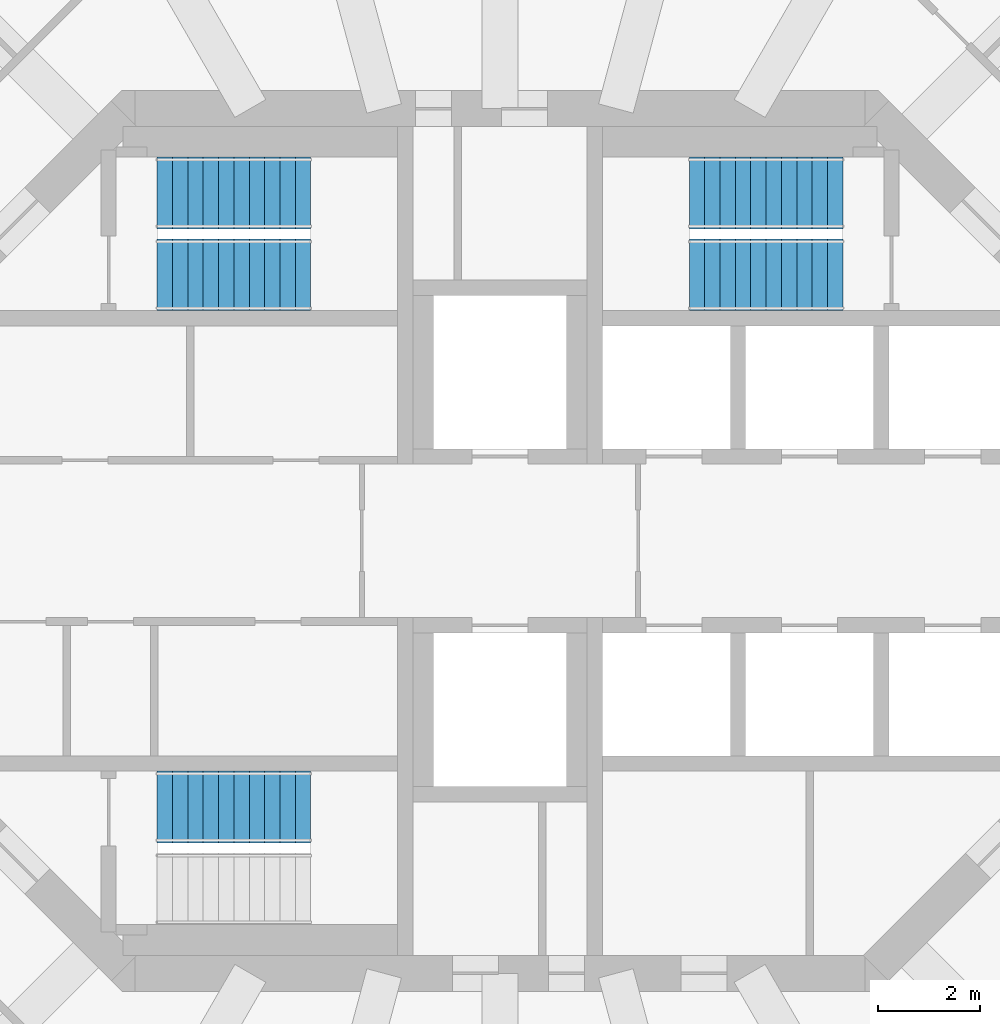
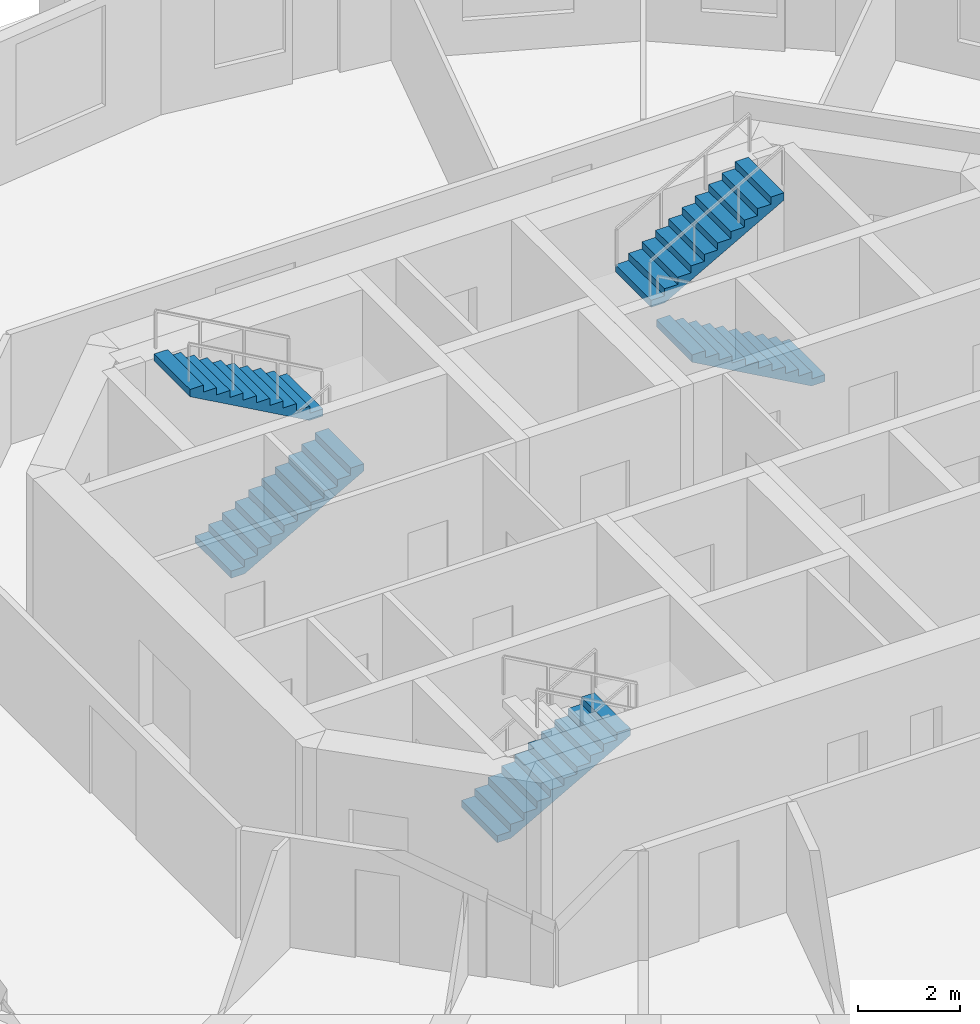
# One storey, part 7 of 9: 5 stair flights, 3 elements without a shape of their own.
"""IFC4 building model written with IfcOpenShell, lengths in metres."""

from ifc_helpers import new_model, si_unit, direction, frame, origin, place, context, subcontext, project, spatial, polyline, outline, extrude, material, type_object, element, aggregate, save


model = new_model("IFC4")

# Units and contexts
model_context = context("Model", 3, precision=1e-05, world=origin(), true_north=direction((0.0, 1.0)))
body_context = subcontext(model_context, "Body", "Model", "MODEL_VIEW")
ifc_project = project(units=[si_unit("LENGTHUNIT", "METRE"), si_unit("AREAUNIT", "SQUARE_METRE"), si_unit("VOLUMEUNIT", "CUBIC_METRE"), si_unit("PLANEANGLEUNIT", "RADIAN"), si_unit("MASSUNIT", "GRAM", prefix="KILO")], contexts=[model_context])

# Site, building, storey
site_placement = place(None, origin())
site = spatial("IfcSite", under=ifc_project, at=site_placement, CompositionType="ELEMENT")
building_placement = place(site_placement, origin())
building = spatial("IfcBuilding", under=site, at=building_placement, Name="Torre Triforio", CompositionType="ELEMENT")
storey_placement = place(building_placement, frame((0.0, 0.0, 161.60009765625)))
storey = spatial("IfcBuildingStorey", under=building, at=storey_placement, Name="L36", CompositionType="ELEMENT", Elevation=161.60009765625)

# Stair, stair flights
ifc_material = material(Name="Concrete C40", Category="concrete")
stair_type = type_object("IfcStairType", Name="STAIR HALF-TURN", PredefinedType="HALF_TURN_STAIR", material=ifc_material)
stair_1_placement = place(storey_placement, origin())
stair_1 = element("IfcStair", 1, at=stair_1_placement, inside=storey, type_object=stair_type, Name="Exit stair 1", PredefinedType="HALF_TURN_STAIR")
stair_flight_type = type_object("IfcStairFlightType", Name="STAIR FLIGHT 1400", PredefinedType="STRAIGHT", material=ifc_material)
stair_flight_1_placement = place(storey_placement, frame((-6.699951171875, 5.199951171875, 0.0), z_axis=(0.0, 0.0, 1.0), x_axis=(1.0, 0.0, 0.0)))
stair_flight_1 = element("IfcStairFlight", 2, at=stair_flight_1_placement, type_object=stair_flight_type, Name="ST1 flight 1", NumberOfRisers=11, NumberOfTreads=10, PredefinedType="STRAIGHT", RiserHeight=0.168181818, TreadLength=0.3, context=body_context, shape_type="SweptSolid", body=[
    extrude(outline(polyline([(0.0, 0.0), (0.0, 0.168212890625), (0.300048828125, 0.168212890625), (0.300048828125, 0.33642578125), (0.60009765625, 0.33642578125), (0.60009765625, 0.504638671875), (0.89990234375, 0.504638671875), (0.89990234375, 0.672607421875), (1.199951171875, 0.672607421875), (1.199951171875, 0.8408203125), (1.5, 0.8408203125), (1.5, 1.009033203125), (1.800048828125, 1.009033203125), (1.800048828125, 1.17724609375), (2.10009765625, 1.17724609375), (2.10009765625, 1.345458984375), (2.39990234375, 1.345458984375), (2.39990234375, 1.513671875), (2.699951171875, 1.513671875), (2.699951171875, 1.681884765625), (3.0, 1.681884765625), (3.0, 1.85009765625), (3.0, 1.510009765625), (0.306640625, 0.0), (0.0, 0.0)])), frame((0.0, 0.699951171875, 0.0), z_axis=(0.0, -1.0, 0.0), x_axis=(1.0, 0.0, 0.0)), (0.0, 0.0, 1.0), 1.39990234375),
])
stair_flight_2_placement = place(storey_placement, frame((-3.699951171875, 6.800048828125, 1.849853515625), z_axis=(0.0, 0.0, 1.0), x_axis=(-1.0, 0.0, 0.0)))
stair_flight_2 = element("IfcStairFlight", 3, at=stair_flight_2_placement, type_object=stair_flight_type, Name="ST1 flight 2", NumberOfRisers=11, NumberOfTreads=10, PredefinedType="STRAIGHT", RiserHeight=0.168181818, TreadLength=0.3, context=body_context, shape_type="SweptSolid", body=[
    extrude(outline(polyline([(0.0, 0.0), (0.0, 0.168212890625), (0.300048828125, 0.168212890625), (0.300048828125, 0.33642578125), (0.60009765625, 0.33642578125), (0.60009765625, 0.504638671875), (0.89990234375, 0.504638671875), (0.89990234375, 0.672607421875), (1.199951171875, 0.672607421875), (1.199951171875, 0.8408203125), (1.5, 0.8408203125), (1.5, 1.009033203125), (1.800048828125, 1.009033203125), (1.800048828125, 1.17724609375), (2.10009765625, 1.17724609375), (2.10009765625, 1.345458984375), (2.39990234375, 1.345458984375), (2.39990234375, 1.513671875), (2.699951171875, 1.513671875), (2.699951171875, 1.681884765625), (3.0, 1.681884765625), (3.0, 1.85009765625), (3.0, 1.510009765625), (0.306640625, 0.0), (0.0, 0.0)])), frame((0.0, 0.699951171875, 0.0), z_axis=(0.0, -1.0, 0.0), x_axis=(1.0, 0.0, 0.0)), (0.0, 0.0, 1.0), 1.39990234375),
])
aggregate(stair_1, [stair_flight_1, stair_flight_2])

stair_2_placement = place(storey_placement, origin())
stair_2 = element("IfcStair", 4, at=stair_2_placement, inside=storey, type_object=stair_type, Name="Exit stair 2", PredefinedType="HALF_TURN_STAIR")
stair_flight_3_placement = place(storey_placement, frame((6.699951171875, 5.199951171875, 0.0), z_axis=(0.0, 0.0, 1.0), x_axis=(-1.0, 0.0, 0.0)))
stair_flight_3 = element("IfcStairFlight", 5, at=stair_flight_3_placement, type_object=stair_flight_type, Name="ST2 flight 1", NumberOfRisers=11, NumberOfTreads=10, PredefinedType="STRAIGHT", RiserHeight=0.168181818, TreadLength=0.3, context=body_context, shape_type="SweptSolid", body=[
    extrude(outline(polyline([(0.0, 0.0), (0.0, 0.168212890625), (0.300048828125, 0.168212890625), (0.300048828125, 0.33642578125), (0.60009765625, 0.33642578125), (0.60009765625, 0.504638671875), (0.89990234375, 0.504638671875), (0.89990234375, 0.672607421875), (1.199951171875, 0.672607421875), (1.199951171875, 0.8408203125), (1.5, 0.8408203125), (1.5, 1.009033203125), (1.800048828125, 1.009033203125), (1.800048828125, 1.17724609375), (2.10009765625, 1.17724609375), (2.10009765625, 1.345458984375), (2.39990234375, 1.345458984375), (2.39990234375, 1.513671875), (2.699951171875, 1.513671875), (2.699951171875, 1.681884765625), (3.0, 1.681884765625), (3.0, 1.85009765625), (3.0, 1.510009765625), (0.306640625, 0.0), (0.0, 0.0)])), frame((0.0, 0.699951171875, 0.0), z_axis=(0.0, -1.0, 0.0), x_axis=(1.0, 0.0, 0.0)), (0.0, 0.0, 1.0), 1.39990234375),
])
stair_flight_4_placement = place(storey_placement, frame((3.699951171875, 6.800048828125, 1.849853515625), z_axis=(0.0, 0.0, 1.0), x_axis=(1.0, 0.0, 0.0)))
stair_flight_4 = element("IfcStairFlight", 6, at=stair_flight_4_placement, type_object=stair_flight_type, Name="ST2 flight 2", NumberOfRisers=11, NumberOfTreads=10, PredefinedType="STRAIGHT", RiserHeight=0.168181818, TreadLength=0.3, context=body_context, shape_type="SweptSolid", body=[
    extrude(outline(polyline([(0.0, 0.0), (0.0, 0.168212890625), (0.300048828125, 0.168212890625), (0.300048828125, 0.33642578125), (0.60009765625, 0.33642578125), (0.60009765625, 0.504638671875), (0.89990234375, 0.504638671875), (0.89990234375, 0.672607421875), (1.199951171875, 0.672607421875), (1.199951171875, 0.8408203125), (1.5, 0.8408203125), (1.5, 1.009033203125), (1.800048828125, 1.009033203125), (1.800048828125, 1.17724609375), (2.10009765625, 1.17724609375), (2.10009765625, 1.345458984375), (2.39990234375, 1.345458984375), (2.39990234375, 1.513671875), (2.699951171875, 1.513671875), (2.699951171875, 1.681884765625), (3.0, 1.681884765625), (3.0, 1.85009765625), (3.0, 1.510009765625), (0.306640625, 0.0), (0.0, 0.0)])), frame((0.0, 0.699951171875, 0.0), z_axis=(0.0, -1.0, 0.0), x_axis=(1.0, 0.0, 0.0)), (0.0, 0.0, 1.0), 1.39990234375),
])
aggregate(stair_2, [stair_flight_3, stair_flight_4])

# Stair, stair flight
stair_3_placement = place(storey_placement, origin())
stair_3 = element("IfcStair", 7, at=stair_3_placement, inside=storey, type_object=stair_type, Name="Exit stair 3", PredefinedType="HALF_TURN_STAIR")
stair_flight_5_placement = place(storey_placement, frame((-6.699951171875, -5.199951171875, 0.0), z_axis=(0.0, 0.0, 1.0), x_axis=(1.0, 0.0, 0.0)))
stair_flight_5 = element("IfcStairFlight", 8, at=stair_flight_5_placement, type_object=stair_flight_type, Name="ST3 flight 1", NumberOfRisers=11, NumberOfTreads=10, PredefinedType="STRAIGHT", RiserHeight=0.168181818, TreadLength=0.3, context=body_context, shape_type="SweptSolid", body=[
    extrude(outline(polyline([(0.0, 0.0), (0.0, 0.168212890625), (0.300048828125, 0.168212890625), (0.300048828125, 0.33642578125), (0.60009765625, 0.33642578125), (0.60009765625, 0.504638671875), (0.89990234375, 0.504638671875), (0.89990234375, 0.672607421875), (1.199951171875, 0.672607421875), (1.199951171875, 0.8408203125), (1.5, 0.8408203125), (1.5, 1.009033203125), (1.800048828125, 1.009033203125), (1.800048828125, 1.17724609375), (2.10009765625, 1.17724609375), (2.10009765625, 1.345458984375), (2.39990234375, 1.345458984375), (2.39990234375, 1.513671875), (2.699951171875, 1.513671875), (2.699951171875, 1.681884765625), (3.0, 1.681884765625), (3.0, 1.85009765625), (3.0, 1.510009765625), (0.306640625, 0.0), (0.0, 0.0)])), frame((0.0, 0.699951171875, 0.0), z_axis=(0.0, -1.0, 0.0), x_axis=(1.0, 0.0, 0.0)), (0.0, 0.0, 1.0), 1.39990234375),
])
aggregate(stair_3, [stair_flight_5])

save(model, "model.ifc")
